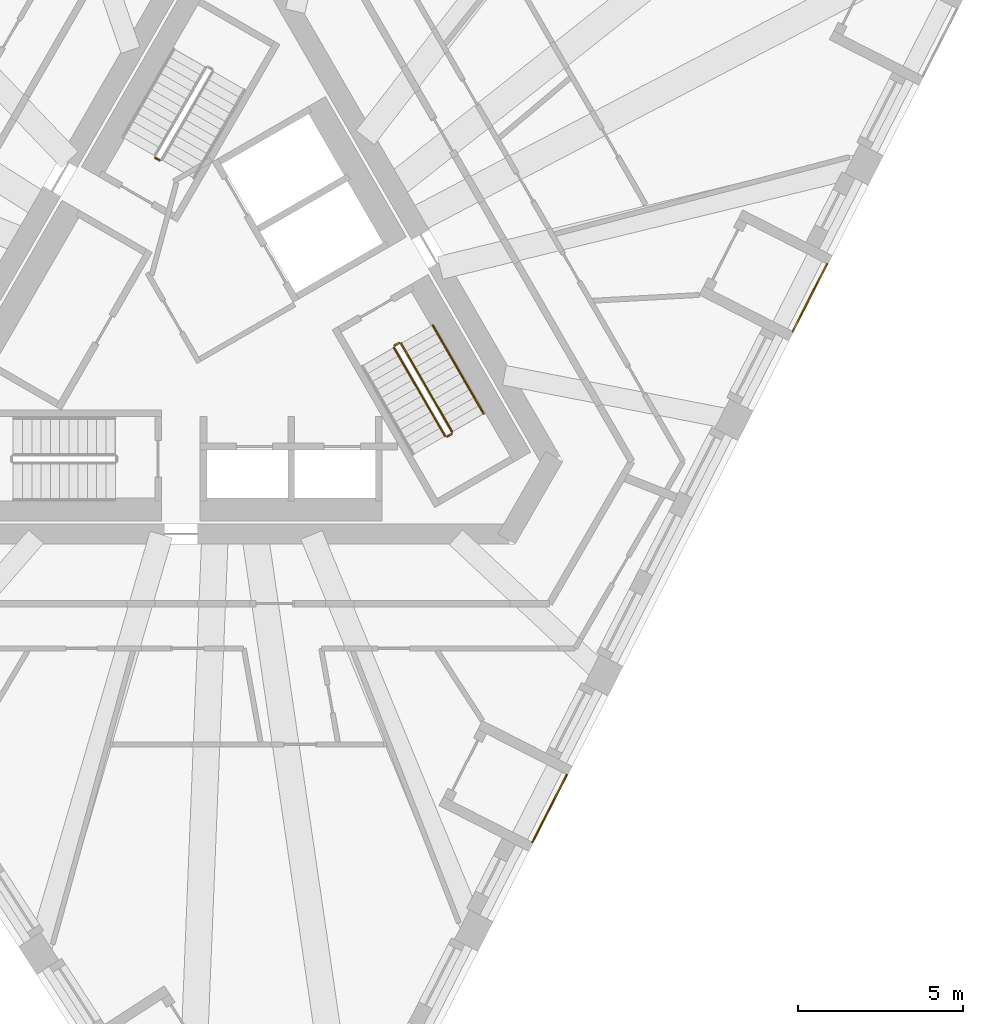
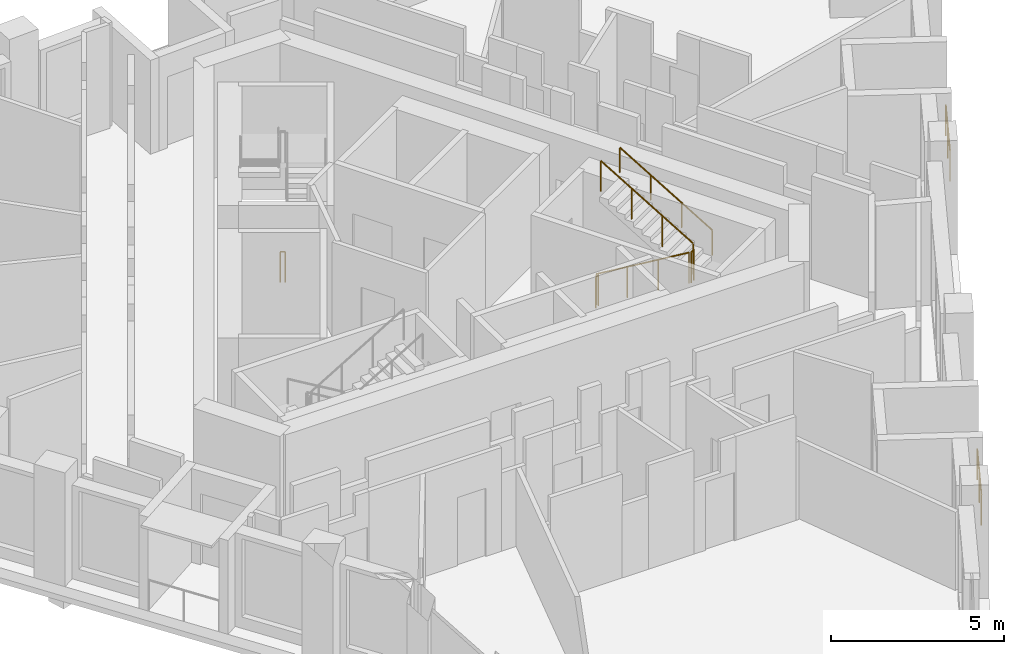
# One storey, part 10 of 12: 8 railings.
"""IFC4 building model written with IfcOpenShell, lengths in metres."""

from ifc_helpers import new_model, si_unit, direction, frame, origin, origin_2d, place, context, subcontext, project, spatial, circle, extrude, material, type_object, element, save


model = new_model("IFC4")

# Units and contexts
model_context = context("Model", 3, precision=1e-05, world=origin(), true_north=direction((0.0, 1.0)))
body_context = subcontext(model_context, "Body", "Model", "MODEL_VIEW")
ifc_project = project(units=[si_unit("LENGTHUNIT", "METRE"), si_unit("AREAUNIT", "SQUARE_METRE"), si_unit("VOLUMEUNIT", "CUBIC_METRE"), si_unit("PLANEANGLEUNIT", "RADIAN"), si_unit("MASSUNIT", "GRAM", prefix="KILO")], contexts=[model_context])

# Site, building, storey
site_placement = place(None, origin())
site = spatial("IfcSite", under=ifc_project, at=site_placement, CompositionType="ELEMENT")
building_placement = place(site_placement, origin())
building = spatial("IfcBuilding", under=site, at=building_placement, Name="Tramontana Tower", CompositionType="ELEMENT")
storey_placement = place(building_placement, frame((0.0, 0.0, 278.39990234375)))
storey = spatial("IfcBuildingStorey", under=building, at=storey_placement, Name="L65", CompositionType="ELEMENT", Elevation=278.39990234375)

# Railings
ifc_material_1 = material(Name="Laminated glass balustrade", Category="glass")
railing_type_1 = type_object("IfcRailingType", Name="GD1 Loggia glass balustrade 1100", PredefinedType="BALUSTRADE", material=ifc_material_1)
railing_1_placement = place(storey_placement, frame((9.3330078125, -15.75830078125, 0.0)))
element("IfcRailing", 1, at=railing_1_placement, inside=storey, type_object=railing_type_1, Name="Loggia balustrade L65 G7S1.4", PredefinedType="BALUSTRADE", context=body_context, shape_type="SweptSolid", body=[
    extrude(circle(Radius=0.02392578125, at=origin_2d()), frame((0.0, 0.0, 1.076171875), z_axis=(0.45403292632, 0.890984905494, 0.0), x_axis=(-0.890984905494, 0.45403292632, 0.0)), (0.0, 0.0, 1.0), 2.286865234375),
    extrude(circle(Radius=0.02099609375, at=origin_2d()), origin(), (0.0, 0.0, 1.0), 1.052001953125),
    extrude(circle(Radius=0.02099609375, at=origin_2d()), frame((0.51904296875, 1.018798828125, 0.0)), (0.0, 0.0, 1.0), 1.052001953125),
    extrude(circle(Radius=0.02099609375, at=origin_2d()), frame((1.038330078125, 2.03759765625, 0.0)), (0.0, 0.0, 1.0), 1.052001953125),
])
railing_2_placement = place(storey_placement, frame((17.196533203125, -0.32568359375, 0.0)))
element("IfcRailing", 2, at=railing_2_placement, inside=storey, type_object=railing_type_1, Name="Loggia balustrade L65 G7S1.10", PredefinedType="BALUSTRADE", context=body_context, shape_type="SweptSolid", body=[
    extrude(circle(Radius=0.02392578125, at=origin_2d()), frame((0.0, 0.0, 1.076171875), z_axis=(0.453948171533, 0.89102809022, 0.0), x_axis=(-0.89102809022, 0.453948171533, 0.0)), (0.0, 0.0, 1.0), 2.286865234375),
    extrude(circle(Radius=0.02099609375, at=origin_2d()), origin(), (0.0, 0.0, 1.0), 1.052001953125),
    extrude(circle(Radius=0.02099609375, at=origin_2d()), frame((0.51904296875, 1.018798828125, 0.0)), (0.0, 0.0, 1.0), 1.052001953125),
    extrude(circle(Radius=0.02099609375, at=origin_2d()), frame((1.0380859375, 2.03759765625, 0.0)), (0.0, 0.0, 1.0), 1.052001953125),
])
ifc_material_2 = material(Name="Painted steel", Category="steel")
railing_type_2 = type_object("IfcRailingType", Name="STAIR GUARD 1100", PredefinedType="GUARDRAIL", material=ifc_material_2)
railing_3_placement = place(storey_placement, frame((-1.935791015625, 4.84716796875, 0.0)))
element("IfcRailing", 3, at=railing_3_placement, inside=storey, type_object=railing_type_2, Name="L65 ST1 stair guard 4", PredefinedType="GUARDRAIL", context=body_context, shape_type="SweptSolid", body=[
    extrude(circle(Radius=0.02392578125, at=origin_2d()), frame((0.0, 0.0, 1.076171875), z_axis=(-0.865426285481, 0.501036270542, 0.0), x_axis=(-0.501036270542, -0.865426285481, 0.0)), (0.0, 0.0, 1.0), 0.150146484375),
    extrude(circle(Radius=0.02099609375, at=origin_2d()), origin(), (0.0, 0.0, 1.0), 1.052001953125),
    extrude(circle(Radius=0.02099609375, at=origin_2d()), frame((-0.1298828125, 0.0751953125, 0.0)), (0.0, 0.0, 1.0), 1.052001953125),
])
railing_4_placement = place(storey_placement, frame((5.1474609375, -0.815673828125, 0.166748046875)))
element("IfcRailing", 4, at=railing_4_placement, inside=storey, type_object=railing_type_2, Name="L65 ST3 stair guard 1", PredefinedType="GUARDRAIL", context=body_context, shape_type="SweptSolid", body=[
    extrude(circle(Radius=0.02392578125, at=origin_2d()), frame((0.0, 0.0, 1.076171875), z_axis=(0.429671193721, -0.744159446956, 0.511477646425), x_axis=(0.866010015463, 0.500026652407, 0.0)), (0.0, 0.0, 1.0), 3.584228515625),
    extrude(circle(Radius=0.02099609375, at=origin_2d()), origin(), (0.0, 0.0, 1.0), 1.052001953125),
    extrude(circle(Radius=0.02099609375, at=origin_2d()), frame((0.513427734375, -0.88916015625, 0.611083984375)), (0.0, 0.0, 1.0), 1.052001953125),
    extrude(circle(Radius=0.02099609375, at=origin_2d()), frame((1.026611328125, -1.778076171875, 1.22216796875)), (0.0, 0.0, 1.0), 1.052001953125),
    extrude(circle(Radius=0.02099609375, at=origin_2d()), frame((1.5400390625, -2.667236328125, 1.833251953125)), (0.0, 0.0, 1.0), 1.052001953125),
])
railing_5_placement = place(storey_placement, frame((6.90380859375, -3.35791015625, 2.166748046875)))
element("IfcRailing", 5, at=railing_5_placement, inside=storey, type_object=railing_type_2, Name="L65 ST3 stair guard 2", PredefinedType="GUARDRAIL", context=body_context, shape_type="SweptSolid", body=[
    extrude(circle(Radius=0.02392578125, at=origin_2d()), frame((0.0, 0.0, 1.076171875), z_axis=(-0.429615651263, 0.74418122563, 0.511492615401), x_axis=(-0.866044340336, -0.499967199496, 0.0)), (0.0, 0.0, 1.0), 3.584228515625),
    extrude(circle(Radius=0.02099609375, at=origin_2d()), origin(), (0.0, 0.0, 1.0), 1.052001953125),
    extrude(circle(Radius=0.02099609375, at=origin_2d()), frame((-0.51318359375, 0.88916015625, 0.611083984375)), (0.0, 0.0, 1.0), 1.052001953125),
    extrude(circle(Radius=0.02099609375, at=origin_2d()), frame((-1.026611328125, 1.778076171875, 1.22216796875)), (0.0, 0.0, 1.0), 1.052001953125),
    extrude(circle(Radius=0.02099609375, at=origin_2d()), frame((-1.539794921875, 2.667236328125, 1.833251953125)), (0.0, 0.0, 1.0), 1.052001953125),
])
for number, where, name in (
    (6, (6.755615234375, -3.501220703125, 2.0), "L65 ST3 stair guard 3"),
    (7, (5.165771484375, -0.747314453125, 0.0), "L65 ST3 stair guard 4"),
):
    element("IfcRailing", number, at=place(storey_placement, frame(where)), inside=storey, type_object=railing_type_2, Name=name, PredefinedType="GUARDRAIL", context=body_context, shape_type="SweptSolid", body=[
        extrude(circle(Radius=0.02392578125, at=origin_2d()), frame((0.0, 0.0, 1.076171875), z_axis=(0.866131372301, 0.499816412211, 0.0), x_axis=(-0.499816412211, 0.866131372301, 0.0)), (0.0, 0.0, 1.0), 0.14990234375),
        extrude(circle(Radius=0.02099609375, at=origin_2d()), origin(), (0.0, 0.0, 1.0), 1.052001953125),
        extrude(circle(Radius=0.02099609375, at=origin_2d()), frame((0.1298828125, 0.074951171875, 0.0)), (0.0, 0.0, 1.0), 1.052001953125),
    ])
ifc_material_3 = material(Name="Painted steel", Category="steel")
railing_type_3 = type_object("IfcRailingType", Name="STAIR HANDRAIL 900", PredefinedType="HANDRAIL", material=ifc_material_3)
railing_6_placement = place(storey_placement, frame((7.8564453125, -2.807861328125, 2.166748046875)))
element("IfcRailing", 8, at=railing_6_placement, inside=storey, type_object=railing_type_3, Name="L65 ST3 stair handrail 2", PredefinedType="HANDRAIL", context=body_context, shape_type="SweptSolid", body=[
    extrude(circle(Radius=0.02392578125, at=origin_2d()), frame((0.0, 0.0, 0.8759765625), z_axis=(-0.429615651263, 0.74418122563, 0.511492615401), x_axis=(-0.866044340336, -0.499967199496, 0.0)), (0.0, 0.0, 1.0), 3.584228515625),
    extrude(circle(Radius=0.02099609375, at=origin_2d()), origin(), (0.0, 0.0, 1.0), 0.851806640625),
    extrude(circle(Radius=0.02099609375, at=origin_2d()), frame((-0.51318359375, 0.88916015625, 0.611083984375)), (0.0, 0.0, 1.0), 0.851806640625),
    extrude(circle(Radius=0.02099609375, at=origin_2d()), frame((-1.026611328125, 1.778076171875, 1.22216796875)), (0.0, 0.0, 1.0), 0.851806640625),
    extrude(circle(Radius=0.02099609375, at=origin_2d()), frame((-1.539794921875, 2.667236328125, 1.833251953125)), (0.0, 0.0, 1.0), 0.851806640625),
])

save(model, "model.ifc")
